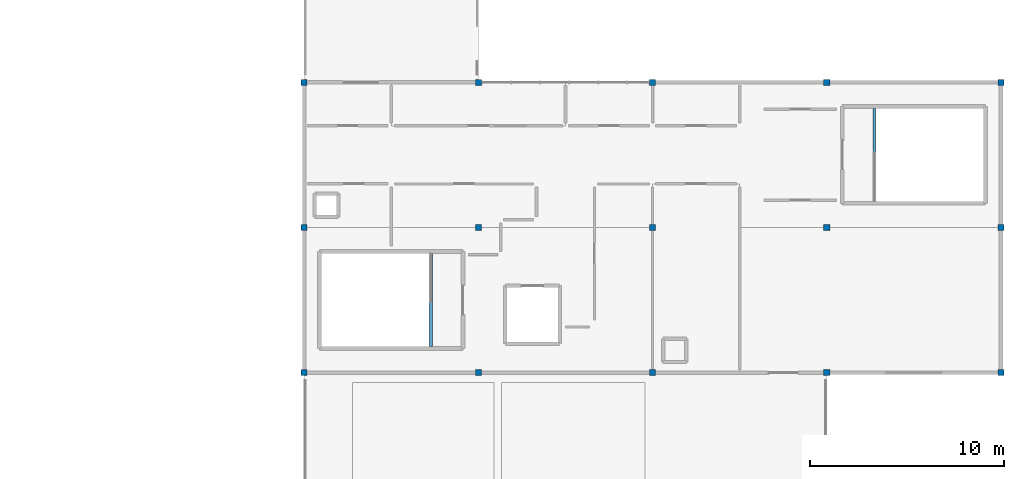
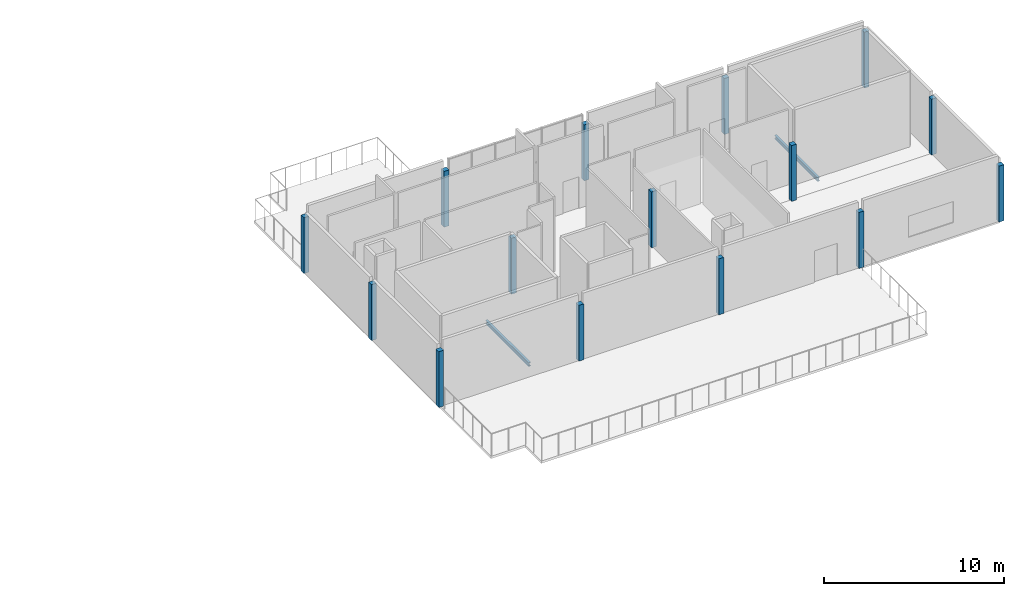
# One storey, part 1 of 8: 15 columns, 2 beams.
"""IFC4 building model written with IfcOpenShell, lengths in metres."""

import ifcopenshell
import ifcopenshell.guid

model = None  # the IFC model being written
_history = None  # IfcOwnerHistory: only IFC2X3 demands one
_inside = {}  # id of a spatial element -> (the spatial element, [elements in it])
_under = {}  # id of a project, library or spatial element -> (it, [spatial elements below it])
_declared = {}  # id of a project -> (the project, [libraries it declares])
_typed = {}  # id of a type object -> (the type object, [elements of that type])
_made_of = {}  # id of a material, layer set ... -> (it, [elements and type objects made of it])


def new_model(schema):
    """Start an empty IFC model of exactly this schema.

    Asked for "IFC4X3", IfcOpenShell would pick the latest addendum, in which some entities
    have other attributes; the version numbers below select the first issue.
    IFC2X3 requires an IfcOwnerHistory on every rooted entity: one is made here for all.
    """
    global model, _history
    if schema == "IFC4X3":
        model = ifcopenshell.file(schema_version=(4, 3, 0, 0))
    else:
        model = ifcopenshell.file(schema=schema)
    _inside.clear()
    _under.clear()
    _declared.clear()
    _typed.clear()
    _made_of.clear()
    _history = None
    if model.schema == "IFC2X3":
        org = make("IfcOrganization", Name="unknown")
        user = make(
            "IfcPersonAndOrganization",
            ThePerson=make("IfcPerson", FamilyName="unknown"),
            TheOrganization=org,
        )
        app = make(
            "IfcApplication",
            ApplicationDeveloper=org,
            Version="unknown",
            ApplicationFullName="unknown",
            ApplicationIdentifier="unknown",
        )
        _history = make(
            "IfcOwnerHistory",
            OwningUser=user,
            OwningApplication=app,
            ChangeAction="ADDED",
            CreationDate=0,
        )
    return model


def make(cls, **values):
    """One entity of the class cls with the attributes given. An attribute that is None is left unset."""
    return model.create_entity(
        cls, **{name: value for name, value in values.items() if value is not None}
    )


def rooted(cls, **values):
    """An entity with a GlobalId (a new one), such as an element, a storey or a relation."""
    return make(cls, GlobalId=ifcopenshell.guid.new(), OwnerHistory=_history, **values)


def si_unit(unit_type, name, prefix=None):
    """IfcSIUnit, for example si_unit("LENGTHUNIT", "METRE", prefix="MILLI")."""
    return make("IfcSIUnit", UnitType=unit_type, Prefix=prefix, Name=name)


def assignment(units):
    """IfcUnitAssignment: the units of a project."""
    return None if units is None else make("IfcUnitAssignment", Units=units)


def point(xyz):
    """IfcCartesianPoint."""
    return None if xyz is None else make("IfcCartesianPoint", Coordinates=xyz)


def direction(xyz):
    """IfcDirection."""
    return None if xyz is None else make("IfcDirection", DirectionRatios=xyz)


def frame(location, z_axis=None, x_axis=None):
    """IfcAxis2Placement3D, a coordinate frame: its origin and axes. An axis left out is left unset."""
    return make(
        "IfcAxis2Placement3D",
        Location=point(location),
        Axis=direction(z_axis),
        RefDirection=direction(x_axis),
    )


def frame_2d(location, x_axis=None):
    """IfcAxis2Placement2D, a coordinate frame in the plane: its origin and x axis."""
    return make(
        "IfcAxis2Placement2D", Location=point(location), RefDirection=direction(x_axis)
    )


def origin():
    """The frame at (0, 0, 0) with its axes left unset."""
    return frame((0.0, 0.0, 0.0))


def origin_2d():
    """The frame at (0, 0) in the plane with its x axis left unset."""
    return frame_2d((0.0, 0.0))


def place(relative_to, where):
    """IfcLocalPlacement: puts the frame where relative to a parent placement (None: the world)."""
    return make(
        "IfcLocalPlacement", PlacementRelTo=relative_to, RelativePlacement=where
    )


def context(
    kind, dimensions, precision=None, world=None, true_north=None, identifier=None
):
    """IfcGeometricRepresentationContext, for example the 3D "Model" context."""
    return make(
        "IfcGeometricRepresentationContext",
        ContextIdentifier=identifier,
        ContextType=kind,
        CoordinateSpaceDimension=dimensions,
        Precision=precision,
        WorldCoordinateSystem=world,
        TrueNorth=true_north,
    )


def subcontext(parent, identifier, kind, view, scale=None):
    """IfcGeometricRepresentationSubContext, for example "Body" below "Model"."""
    return make(
        "IfcGeometricRepresentationSubContext",
        ContextIdentifier=identifier,
        ContextType=kind,
        ParentContext=parent,
        TargetScale=scale,
        TargetView=view,
    )


def project(units=None, contexts=None):
    """IfcProject with its units and contexts."""
    return rooted(
        "IfcProject",
        Name="project",
        RepresentationContexts=contexts,
        UnitsInContext=assignment(units),
    )


def spatial(cls, under=None, at=None, **own):
    """A site, building, storey or space (cls), placed at a placement, below another one or the project."""
    s = rooted(cls, ObjectPlacement=at, **own)
    if under is not None:
        _under.setdefault(under.id(), (under, []))[1].append(s)
    return s


def profile(cls, at=None, kind="AREA", **sizes):
    """A parametric profile (cls). Its sizes go by their IFC names, for example OverallWidth=200.0."""
    return make(cls, ProfileType=kind, Position=at, **sizes)


def rectangle(**sizes):
    """IfcRectangleProfileDef."""
    return profile("IfcRectangleProfileDef", **sizes)


def i_section(**sizes):
    """IfcIShapeProfileDef."""
    return profile("IfcIShapeProfileDef", **sizes)


def extrude(swept, where, along, depth):
    """IfcExtrudedAreaSolid: the profile swept, set in the frame where, extruded along a direction by depth."""
    return make(
        "IfcExtrudedAreaSolid",
        SweptArea=swept,
        Position=where,
        ExtrudedDirection=direction(along),
        Depth=depth,
    )


def shape(context_of_items, identifier, shape_type, items):
    """IfcShapeRepresentation: the items that make up one representation, for example the "Body"."""
    return make(
        "IfcShapeRepresentation",
        ContextOfItems=context_of_items,
        RepresentationIdentifier=identifier,
        RepresentationType=shape_type,
        Items=items,
    )


def material(Name=None, Category=None):
    """IfcMaterial."""
    return make("IfcMaterial", Name=Name, Category=Category)


def material_profile(
    of_material, cross_section, Name=None, Category=None, Priority=None
):
    """IfcMaterialProfile: a cross section and its material."""
    return make(
        "IfcMaterialProfile",
        Name=Name,
        Material=of_material,
        Profile=cross_section,
        Priority=Priority,
        Category=Category,
    )


def profile_set(profiles, Name=None, composite=None):
    """IfcMaterialProfileSet."""
    return make(
        "IfcMaterialProfileSet",
        Name=Name,
        MaterialProfiles=profiles,
        CompositeProfile=composite,
    )


def made_of(thing, what):
    """Note that an element or type object is made of a material, layer set ...; save() writes the relation."""
    if what is not None:
        _made_of.setdefault(what.id(), (what, []))[1].append(thing)
    return thing


def type_object(cls, material=None, **own):
    """A type object (cls), such as IfcWallType, which elements share."""
    return made_of(rooted(cls, **own), material)


def element(
    cls,
    number,
    at=None,
    inside=None,
    cuts=None,
    type_object=None,
    material=None,
    context=None,
    identifier="Body",
    shape_type=None,
    held_by="IfcProductDefinitionShape",
    body=None,
    shapes=None,
    **own,
):
    """One element of the class cls, such as IfcWall. Its Tag is "e" and its number.

    at: its placement. inside: the storey or other place that contains it. cuts: it is an
    opening in that element (IfcRelVoidsElement). A single representation is given by context,
    identifier, shape_type and body (its items); several are given by shapes. held_by: the class
    of the entity that holds the representations. save() writes the other relations.
    """
    e = rooted(cls, Tag="e%d" % number, ObjectPlacement=at, **own)
    if body is not None:
        shapes = [shape(context, identifier, shape_type, body)]
    if shapes is not None:
        e.Representation = make(held_by, Representations=shapes)
    if inside is not None:
        _inside.setdefault(inside.id(), (inside, []))[1].append(e)
    if cuts is not None:
        rooted(
            "IfcRelVoidsElement", RelatingBuildingElement=cuts, RelatedOpeningElement=e
        )
    if type_object is not None:
        _typed.setdefault(type_object.id(), (type_object, []))[1].append(e)
    return made_of(e, material)


def aggregate(whole, parts):
    """IfcRelAggregates: a whole, such as a stair, and the parts it consists of."""
    return rooted("IfcRelAggregates", RelatingObject=whole, RelatedObjects=parts)


def save(model, path):
    """Write the relations noted so far, then the file.

    IfcRelAggregates (storeys below a building ...), IfcRelContainedInSpatialStructure (elements
    in a storey), IfcRelDefinesByType, IfcRelAssociatesMaterial and IfcRelDeclares: one each for
    every whole, place, type object, material and project.
    """
    for whole, parts in _under.values():
        aggregate(whole, parts)
    for where, things in _inside.values():
        rooted(
            "IfcRelContainedInSpatialStructure",
            RelatedElements=things,
            RelatingStructure=where,
        )
    for kind, things in _typed.values():
        rooted("IfcRelDefinesByType", RelatedObjects=things, RelatingType=kind)
    for what, things in _made_of.values():
        rooted("IfcRelAssociatesMaterial", RelatedObjects=things, RelatingMaterial=what)
    for by, libraries in _declared.values():
        rooted("IfcRelDeclares", RelatingContext=by, RelatedDefinitions=libraries)
    model.write(path)


model = new_model("IFC4")

# Units and contexts
model_context = context("Model", 3, precision=1e-05, world=origin(), true_north=direction((0.0, 1.0)))
body_context = subcontext(model_context, "Body", "Model", "MODEL_VIEW")
ifc_project = project(units=[si_unit("LENGTHUNIT", "METRE"), si_unit("AREAUNIT", "SQUARE_METRE"), si_unit("VOLUMEUNIT", "CUBIC_METRE"), si_unit("PLANEANGLEUNIT", "RADIAN"), si_unit("MASSUNIT", "GRAM", prefix="KILO")], contexts=[model_context])

# Site, building, storey
site_placement = place(None, origin())
site = spatial("IfcSite", under=ifc_project, at=site_placement, CompositionType="ELEMENT")
building_placement = place(site_placement, origin())
building = spatial("IfcBuilding", under=site, at=building_placement, Name="Marnridge Secondary College", CompositionType="ELEMENT")
storey_placement = place(building_placement, frame((0.0, 0.0, 19.89990234375)))
storey = spatial("IfcBuildingStorey", under=building, at=storey_placement, Name="L05", CompositionType="ELEMENT", Elevation=19.89990234375)

# Columns
ifc_material_1 = material(Name="Glulam timber GL21", Category="wood")
ifc_material_profile_1 = material_profile(ifc_material_1, rectangle(XDim=0.31494140625, YDim=0.31494140625, at=origin_2d()), Name="GL21 315x315")
ifc_profile_set_1 = profile_set([ifc_material_profile_1], Name="Glulam timber GL21")
column_type_1 = type_object("IfcColumnType", Name="CL-GL315-EXT", PredefinedType="COLUMN", material=ifc_profile_set_1)
for number, where, z_axis, x_axis, name in (
    (1, (54.0, 52.5, 0.0), (0.0, 0.0, 1.0), (1.0, 0.0, 0.0), "Column C-L05-0321"),
    (2, (63.0, 52.5, 0.0), (0.0, 0.0, 1.0), (1.0, 0.0, 0.0), "Column C-L05-0328"),
    (3, (72.0, 52.5, 0.0), (0.0, 0.0, 1.0), (1.0, 0.0, 0.0), "Column C-L05-0335"),
    (4, (81.0, 52.5, 0.0), (0.0, 0.0, 1.0), (1.0, 0.0, 0.0), "Column C-L05-0342"),
    (5, (90.0, 52.5, 0.0), (0.0, 0.0, 1.0), (1.0, 0.0, 0.0), "Column C-L05-0349"),
    (6, (54.0, 60.0, 0.0), (0.0, 0.0, 1.0), (1.0, 0.0, 0.0), "Column C-L05-0356"),
    (7, (90.0, 60.0, 0.0), (0.0, 0.0, 1.0), (1.0, 0.0, 0.0), "Column C-L05-0384"),
    (8, (54.0, 67.5, 0.0), (0.0, 0.0, 1.0), (1.0, 0.0, 0.0), "Column C-L05-0391"),
    (9, (63.0, 67.5, 0.0), (0.0, 0.0, 1.0), (1.0, 0.0, 0.0), "Column C-L05-0398"),
    (10, (72.0, 67.5, 0.0), (0.0, 0.0, 1.0), (1.0, 0.0, 0.0), "Column C-L05-0405"),
    (11, (81.0, 67.5, 0.0), (0.0, 0.0, 1.0), (1.0, 0.0, 0.0), "Column C-L05-0412"),
    (12, (90.0, 67.5, 0.0), (0.0, 0.0, 1.0), (1.0, 0.0, 0.0), "Column C-L05-0419"),
):
    element("IfcColumn", number, at=place(storey_placement, frame(where, z_axis=z_axis, x_axis=x_axis)), inside=storey, type_object=column_type_1, Name=name, PredefinedType="COLUMN", context=body_context, shape_type="SweptSolid", body=[
        extrude(rectangle(XDim=0.31494140625, YDim=0.31494140625, at=origin_2d()), origin(), (0.0, 0.0, 1.0), 3.800048828125),
    ])
ifc_material_2 = material(Name="Glulam timber GL21", Category="wood")
ifc_material_profile_2 = material_profile(ifc_material_2, rectangle(XDim=0.31494140625, YDim=0.31494140625, at=origin_2d()), Name="GL21 315x315")
ifc_profile_set_2 = profile_set([ifc_material_profile_2], Name="Glulam timber GL21")
column_type_2 = type_object("IfcColumnType", Name="CL-GL315-INT", PredefinedType="COLUMN", material=ifc_profile_set_2)
for number, where, z_axis, x_axis, name in (
    (13, (63.0, 60.0, 0.0), (0.0, 0.0, 1.0), (1.0, 0.0, 0.0), "Column C-L05-0363"),
    (14, (72.0, 60.0, 0.0), (0.0, 0.0, 1.0), (1.0, 0.0, 0.0), "Column C-L05-0370"),
    (15, (81.0, 60.0, 0.0), (0.0, 0.0, 1.0), (1.0, 0.0, 0.0), "Column C-L05-0377"),
):
    element("IfcColumn", number, at=place(storey_placement, frame(where, z_axis=z_axis, x_axis=x_axis)), inside=storey, type_object=column_type_2, Name=name, PredefinedType="COLUMN", context=body_context, shape_type="SweptSolid", body=[
        extrude(rectangle(XDim=0.31494140625, YDim=0.31494140625, at=origin_2d()), origin(), (0.0, 0.0, 1.0), 3.800048828125),
    ])

# Beams
ifc_material_3 = material(Name="Structural steel Grade 350 (AS/NZS 3679.1/.2, fy = 340-360 MPa)", Category="steel")
ifc_material_profile_3 = material_profile(ifc_material_3, i_section(OverallWidth=0.146240234375, OverallDepth=0.256103515625, WebThickness=0.00634765625, FlangeThickness=0.010986328125, FilletRadius=0.0087890625, at=origin_2d()), Name="250UB37.3")
ifc_profile_set_3 = profile_set([ifc_material_profile_3], Name="Structural steel Grade 350 (AS/NZS 3679.1/.2, fy = 340-360 MPa)")
beam_type = type_object("IfcBeamType", Name="BM-UB250-EXT", PredefinedType="LINTEL", material=ifc_profile_set_3)
for number, where, z_axis, x_axis, name in (
    (16, (60.550048828125, 53.842041015625, -0.318115234375), (0.0, 1.0, 0.0), (-1.0, 0.0, 0.0), "Stair landing trimmer beam BT-L05-010"),
    (17, (83.449951171875, 61.342041015625, -0.318115234375), (0.0, 1.0, 0.0), (-1.0, 0.0, 0.0), "Stair landing trimmer beam BT-L05-020"),
):
    element("IfcBeam", number, at=place(storey_placement, frame(where, z_axis=z_axis, x_axis=x_axis)), inside=storey, type_object=beam_type, Name=name, PredefinedType="LINTEL", context=body_context, shape_type="SweptSolid", body=[
        extrude(i_section(OverallWidth=0.146240234375, OverallDepth=0.256103515625, WebThickness=0.00634765625, FlangeThickness=0.010986328125, FilletRadius=0.0087890625, at=origin_2d()), origin(), (0.0, 0.0, 1.0), 4.802978515625),
    ])

save(model, "model.ifc")
